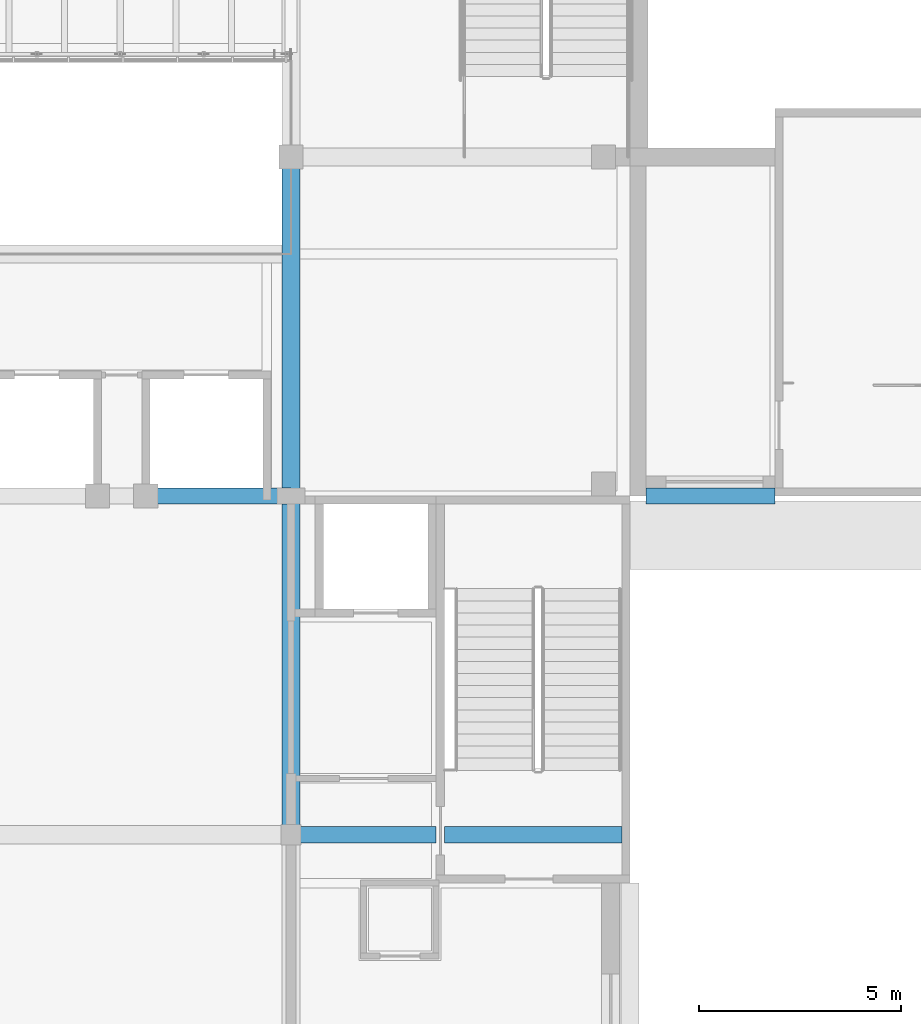
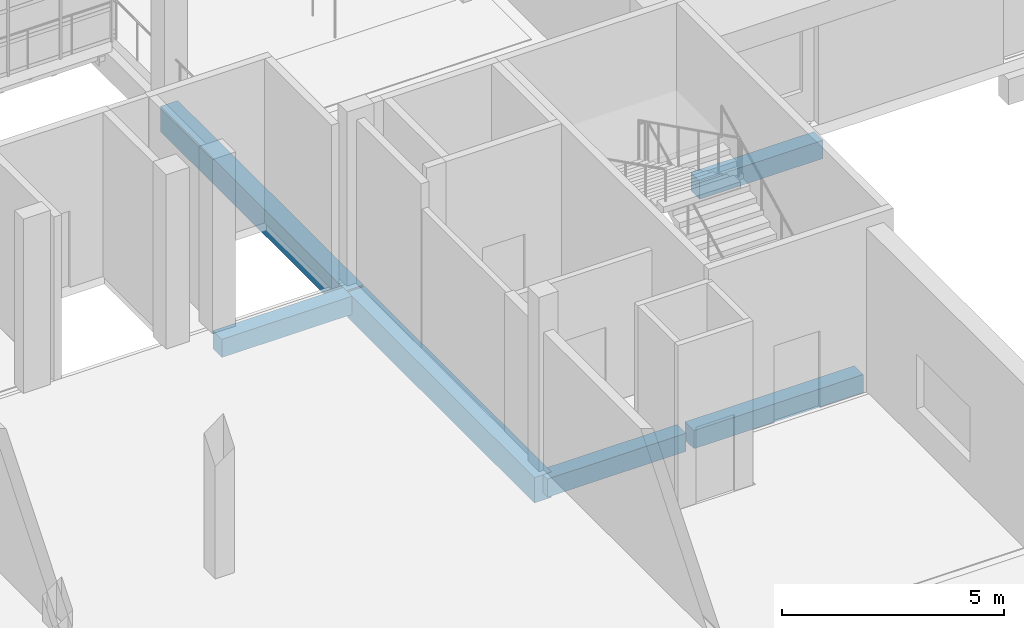
# One storey, part 9 of 86: 6 beams.
"""IFC4 building model written with IfcOpenShell, lengths in metres."""

from ifc_helpers import new_model, si_unit, direction, frame, origin, origin_2d, place, context, subcontext, project, spatial, rectangle, extrude, material, material_profile, profile_set, type_object, element, save


model = new_model("IFC4")

# Units and contexts
model_context = context("Model", 3, precision=1e-05, world=origin(), true_north=direction((0.0, 1.0)))
body_context = subcontext(model_context, "Body", "Model", "MODEL_VIEW")
ifc_project = project(units=[si_unit("LENGTHUNIT", "METRE"), si_unit("AREAUNIT", "SQUARE_METRE"), si_unit("VOLUMEUNIT", "CUBIC_METRE"), si_unit("PLANEANGLEUNIT", "RADIAN"), si_unit("MASSUNIT", "GRAM", prefix="KILO")], contexts=[model_context])

# Site, building, storey
site_placement = place(None, origin())
site = spatial("IfcSite", under=ifc_project, at=site_placement, CompositionType="ELEMENT")
building_placement = place(site_placement, origin())
building = spatial("IfcBuilding", under=site, at=building_placement, Name="Kiln Court Media Centre", CompositionType="ELEMENT")
storey_placement = place(building_placement, frame((0.0, 0.0, 10.199951171875)))
storey = spatial("IfcBuildingStorey", under=building, at=storey_placement, Name="L02", CompositionType="ELEMENT", Elevation=10.199951171875)

# Beams
ifc_material_1 = material(Name="Concrete C30/37", Category="concrete")
ifc_material_profile_1 = material_profile(ifc_material_1, rectangle(XDim=0.39990234375, YDim=0.5, at=origin_2d()), Name="RC 400x500")
ifc_profile_set_1 = profile_set([ifc_material_profile_1], Name="Concrete C30/37")
beam_type_1 = type_object("IfcBeamType", Name="Concrete C30/37 beam 400x500", PredefinedType="BEAM", material=ifc_profile_set_1)
beam_1_placement = place(storey_placement, frame((50.39990234375, 16.800048828125, -0.550048828125), z_axis=(1.0, 0.0, 0.0), x_axis=(0.0, 1.0, 0.0)))
element("IfcBeam", 1, at=beam_1_placement, inside=storey, type_object=beam_type_1, Name="L02-B-1045", PredefinedType="BEAM", context=body_context, shape_type="SweptSolid", body=[
    extrude(rectangle(XDim=0.39990234375, YDim=0.5, at=origin_2d()), origin(), (0.0, 0.0, 1.0), 3.60009765625),
])
beam_2_placement = place(storey_placement, frame((54.199951171875, 16.800048828125, -0.550048828125), z_axis=(1.0, 0.0, 0.0), x_axis=(0.0, 1.0, 0.0)))
element("IfcBeam", 2, at=beam_2_placement, inside=storey, type_object=beam_type_1, Name="L02-B-1046", PredefinedType="BEAM", context=body_context, shape_type="SweptSolid", body=[
    extrude(rectangle(XDim=0.39990234375, YDim=0.5, at=origin_2d()), origin(), (0.0, 0.0, 1.0), 4.400146484375),
])
beam_3_placement = place(storey_placement, frame((46.801025390625, 25.199951171875, -0.550048828125), z_axis=(1.0, 0.0, 0.0), x_axis=(0.0, 1.0, 0.0)))
element("IfcBeam", 3, at=beam_3_placement, inside=storey, type_object=beam_type_1, Name="L02-B-1052", PredefinedType="BEAM", context=body_context, shape_type="SweptSolid", body=[
    extrude(rectangle(XDim=0.39990234375, YDim=0.5, at=origin_2d()), origin(), (0.0, 0.0, 1.0), 3.598876953125),
])
beam_4_placement = place(storey_placement, frame((59.199951171875, 25.199951171875, -0.550048828125), z_axis=(1.0, 0.0, 0.0), x_axis=(0.0, 1.0, 0.0)))
element("IfcBeam", 4, at=beam_4_placement, inside=storey, type_object=beam_type_1, Name="L02-B-1111", PredefinedType="BEAM", context=body_context, shape_type="SweptSolid", body=[
    extrude(rectangle(XDim=0.39990234375, YDim=0.5, at=origin_2d()), origin(), (0.0, 0.0, 1.0), 3.199951171875),
])
ifc_material_2 = material(Name="Concrete C30/37", Category="concrete")
ifc_material_profile_2 = material_profile(ifc_material_2, rectangle(XDim=0.449951171875, YDim=0.699951171875, at=origin_2d()), Name="RC 450x700")
ifc_profile_set_2 = profile_set([ifc_material_profile_2], Name="Concrete C30/37")
beam_type_2 = type_object("IfcBeamType", Name="Concrete C30/37 beam 450x700", PredefinedType="BEAM", material=ifc_profile_set_2)
beam_5_placement = place(storey_placement, frame((50.39990234375, 16.800048828125, -0.64990234375), z_axis=(0.0, 1.0, 0.0), x_axis=(-1.0, 0.0, 0.0)))
element("IfcBeam", 5, at=beam_5_placement, inside=storey, type_object=beam_type_2, Name="L02-B-1033", PredefinedType="BEAM", context=body_context, shape_type="SweptSolid", body=[
    extrude(rectangle(XDim=0.449951171875, YDim=0.699951171875, at=origin_2d()), origin(), (0.0, 0.0, 1.0), 8.39990234375),
])
beam_6_placement = place(storey_placement, frame((50.39990234375, 25.25, -0.64990234375), z_axis=(0.0, 1.0, 0.0), x_axis=(-1.0, 0.0, 0.0)))
element("IfcBeam", 6, at=beam_6_placement, inside=storey, type_object=beam_type_2, Name="L02-B-1080", PredefinedType="BEAM", context=body_context, shape_type="SweptSolid", body=[
    extrude(rectangle(XDim=0.449951171875, YDim=0.699951171875, at=origin_2d()), origin(), (0.0, 0.0, 1.0), 8.35009765625),
])

save(model, "model.ifc")
